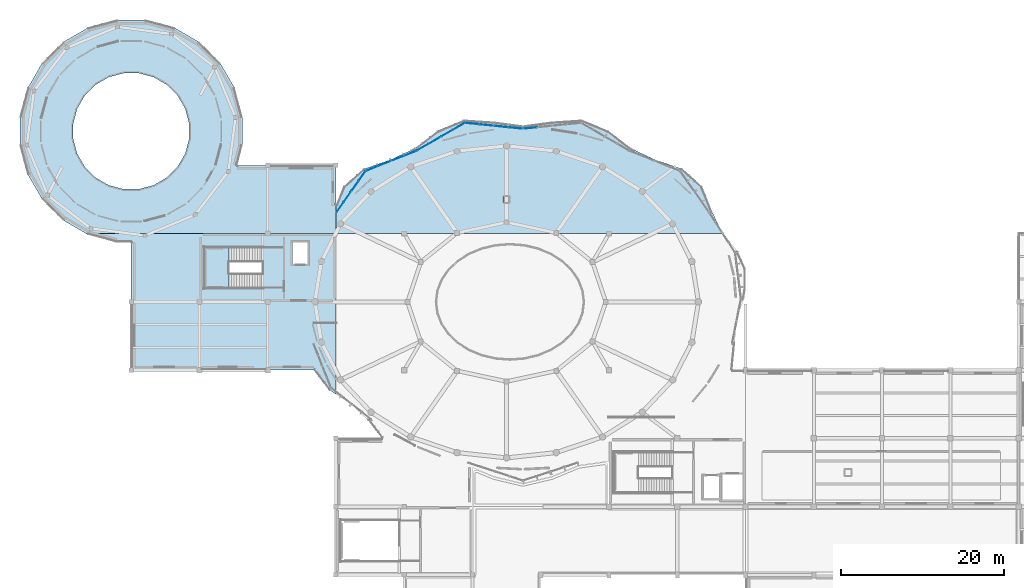
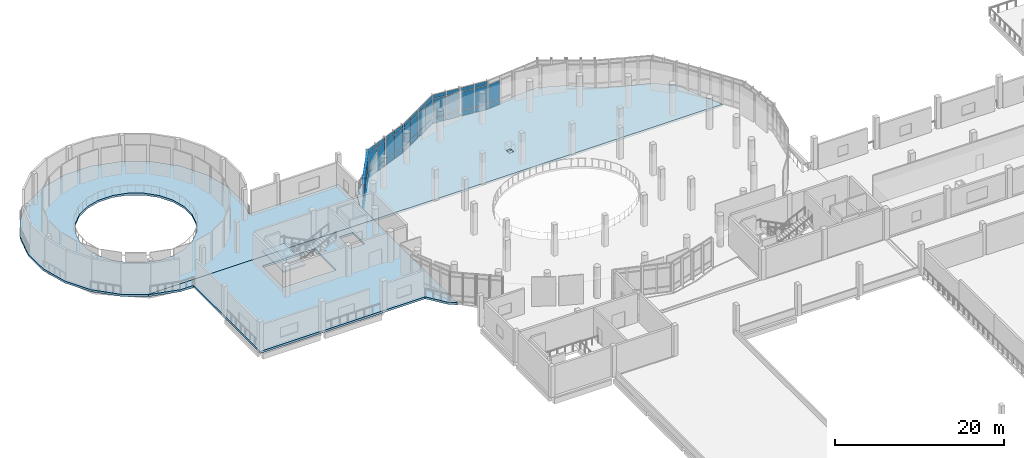
# One storey, part 23 of 46: 50 plates, 4 slabs, 10 elements without a shape of their own.
"""IFC4 building model written with IfcOpenShell, lengths in metres."""

from ifc_helpers import new_model, si_unit, derived_unit, direction, frame, origin, origin_2d, place, context, subcontext, project, spatial, polyline, rectangle, outline, extrude, material, layer, layer_set, type_object, element, aggregate, save


model = new_model("IFC4")

# Units and contexts
model_context = context("Model", 3, precision=1e-05, world=origin(), true_north=direction((0.0, 1.0)))
body_context = subcontext(model_context, "Body", "Model", "MODEL_VIEW")
ifc_project = project(units=[si_unit("LENGTHUNIT", "METRE"), si_unit("AREAUNIT", "SQUARE_METRE"), si_unit("VOLUMEUNIT", "CUBIC_METRE"), si_unit("PLANEANGLEUNIT", "RADIAN"), si_unit("MASSUNIT", "GRAM", prefix="KILO"), derived_unit("THERMALTRANSMITTANCEUNIT", [(si_unit("POWERUNIT", "WATT"), 1), (si_unit("LENGTHUNIT", "METRE"), -2), (si_unit("THERMODYNAMICTEMPERATUREUNIT", "KELVIN"), -1)])], contexts=[model_context])

# Site, building, storey
site_placement = place(None, origin())
site = spatial("IfcSite", under=ifc_project, at=site_placement, CompositionType="ELEMENT")
building_placement = place(site_placement, origin())
building = spatial("IfcBuilding", under=site, at=building_placement, Name="Elbkamm Science Centre", CompositionType="ELEMENT")
storey_placement = place(building_placement, frame((0.0, 0.0, 9.89990234375)))
storey = spatial("IfcBuildingStorey", under=building, at=storey_placement, Name="L02", CompositionType="ELEMENT", Elevation=9.89990234375)

# Curtain wall, plates
ifc_material_1 = material(Name="Powder-coated aluminium and triple low-E glazing", Category="aluminium")
ifc_layer_1 = layer(ifc_material_1, 0.159912109375)
ifc_layer_set_1 = layer_set([ifc_layer_1], Name="Powder-coated aluminium and triple low-E glazing")
curtain_wall_type_1 = type_object("IfcCurtainWallType", Name="CW-UNIT-3540x4220", PredefinedType="USERDEFINED", material=ifc_layer_set_1)
curtain_wall_1_placement = place(storey_placement, origin())
curtain_wall_1 = element("IfcCurtainWall", 1, at=curtain_wall_1_placement, inside=storey, type_object=curtain_wall_type_1, Name="L02 Unitised Curtain Wall 027", ObjectType="UNITISED CURTAIN WALL", PredefinedType="USERDEFINED")
ifc_material_2 = material(Name="Triple solar-control insulated safety glass", Category="glass")
ifc_layer_2 = layer(ifc_material_2, 0.0400390625)
ifc_layer_set_2 = layer_set([ifc_layer_2], Name="Triple solar-control insulated safety glass")
plate_type = type_object("IfcPlateType", Name="CW-PNL-40", PredefinedType="CURTAIN_PANEL", material=ifc_layer_set_2)
plate_1_placement = place(storey_placement, frame((65.89990234375, 88.582275390625, 0.070068359375), z_axis=(0.0, 0.0, 1.0), x_axis=(-0.994794045951, -0.101905869017, 0.0)))
plate_1 = element("IfcPlate", 2, at=plate_1_placement, type_object=plate_type, Name="CW-015 panel 2.1", PredefinedType="CURTAIN_PANEL", context=body_context, shape_type="SweptSolid", body=[
    extrude(rectangle(XDim=1.669189453125, YDim=0.0400390625, at=origin_2d()), origin(), (0.0, 0.0, 1.0), 0.7451171875),
])
plate_2_placement = place(storey_placement, frame((65.89990234375, 88.582275390625, 0.88525390625), z_axis=(0.0, 0.0, 1.0), x_axis=(-0.994794045951, -0.101905869017, 0.0)))
plate_2 = element("IfcPlate", 3, at=plate_2_placement, type_object=plate_type, Name="CW-015 panel 2.2", PredefinedType="CURTAIN_PANEL", context=body_context, shape_type="SweptSolid", body=[
    extrude(rectangle(XDim=1.669189453125, YDim=0.0400390625, at=origin_2d()), origin(), (0.0, 0.0, 1.0), 2.64990234375),
])
aggregate(curtain_wall_1, [plate_1, plate_2])

curtain_wall_2_placement = place(storey_placement, origin())
curtain_wall_2 = element("IfcCurtainWall", 4, at=curtain_wall_2_placement, inside=storey, type_object=curtain_wall_type_1, Name="L02 Unitised Curtain Wall 028", ObjectType="UNITISED CURTAIN WALL", PredefinedType="USERDEFINED")
plate_3_placement = place(storey_placement, frame((64.10009765625, 88.582275390625, 0.070068359375), z_axis=(0.0, 0.0, 1.0), x_axis=(-0.994794045951, 0.101905869017, 0.0)))
plate_3 = element("IfcPlate", 5, at=plate_3_placement, type_object=plate_type, Name="CW-015 panel 1.1", PredefinedType="CURTAIN_PANEL", context=body_context, shape_type="SweptSolid", body=[
    extrude(rectangle(XDim=1.669189453125, YDim=0.0400390625, at=origin_2d()), origin(), (0.0, 0.0, 1.0), 0.7451171875),
])
plate_4_placement = place(storey_placement, frame((64.10009765625, 88.582275390625, 0.88525390625), z_axis=(0.0, 0.0, 1.0), x_axis=(-0.994794045951, 0.101905869017, 0.0)))
plate_4 = element("IfcPlate", 6, at=plate_4_placement, type_object=plate_type, Name="CW-015 panel 1.2", PredefinedType="CURTAIN_PANEL", context=body_context, shape_type="SweptSolid", body=[
    extrude(rectangle(XDim=1.669189453125, YDim=0.0400390625, at=origin_2d()), origin(), (0.0, 0.0, 1.0), 2.64990234375),
])
plate_5_placement = place(storey_placement, frame((64.10009765625, 88.582275390625, 3.605224609375), z_axis=(0.0, 0.0, 1.0), x_axis=(-0.994794045951, 0.101905869017, 0.0)))
plate_5 = element("IfcPlate", 7, at=plate_5_placement, type_object=plate_type, Name="CW-015 panel 1.3", PredefinedType="CURTAIN_PANEL", context=body_context, shape_type="SweptSolid", body=[
    extrude(rectangle(XDim=1.669189453125, YDim=0.0400390625, at=origin_2d()), origin(), (0.0, 0.0, 1.0), 0.544921875),
])
plate_6_placement = place(storey_placement, frame((62.369873046875, 88.759521484375, 0.070068359375), z_axis=(0.0, 0.0, 1.0), x_axis=(-0.994794045951, 0.101905869017, 0.0)))
plate_6 = element("IfcPlate", 8, at=plate_6_placement, type_object=plate_type, Name="CW-015 panel 2.1", PredefinedType="CURTAIN_PANEL", context=body_context, shape_type="SweptSolid", body=[
    extrude(rectangle(XDim=1.669189453125, YDim=0.0400390625, at=origin_2d()), origin(), (0.0, 0.0, 1.0), 0.7451171875),
])
plate_7_placement = place(storey_placement, frame((62.369873046875, 88.759521484375, 0.88525390625), z_axis=(0.0, 0.0, 1.0), x_axis=(-0.994794045951, 0.101905869017, 0.0)))
plate_7 = element("IfcPlate", 9, at=plate_7_placement, type_object=plate_type, Name="CW-015 panel 2.2", PredefinedType="CURTAIN_PANEL", context=body_context, shape_type="SweptSolid", body=[
    extrude(rectangle(XDim=1.669189453125, YDim=0.0400390625, at=origin_2d()), origin(), (0.0, 0.0, 1.0), 2.64990234375),
])
plate_8_placement = place(storey_placement, frame((62.369873046875, 88.759521484375, 3.605224609375), z_axis=(0.0, 0.0, 1.0), x_axis=(-0.994794045951, 0.101905869017, 0.0)))
plate_8 = element("IfcPlate", 10, at=plate_8_placement, type_object=plate_type, Name="CW-015 panel 2.3", PredefinedType="CURTAIN_PANEL", context=body_context, shape_type="SweptSolid", body=[
    extrude(rectangle(XDim=1.669189453125, YDim=0.0400390625, at=origin_2d()), origin(), (0.0, 0.0, 1.0), 0.544921875),
])
aggregate(curtain_wall_2, [plate_3, plate_4, plate_5, plate_6, plate_7, plate_8])

curtain_wall_3_placement = place(storey_placement, origin())
curtain_wall_3 = element("IfcCurtainWall", 11, at=curtain_wall_3_placement, inside=storey, type_object=curtain_wall_type_1, Name="L02 Unitised Curtain Wall 029", ObjectType="UNITISED CURTAIN WALL", PredefinedType="USERDEFINED")
plate_9_placement = place(storey_placement, frame((60.49072265625, 88.951904296875, 0.070068359375), z_axis=(0.0, 0.0, 1.0), x_axis=(-0.994794045951, 0.101905869017, 0.0)))
plate_9 = element("IfcPlate", 12, at=plate_9_placement, type_object=plate_type, Name="CW-015 panel 1.1", PredefinedType="CURTAIN_PANEL", context=body_context, shape_type="SweptSolid", body=[
    extrude(rectangle(XDim=1.669189453125, YDim=0.0400390625, at=origin_2d()), origin(), (0.0, 0.0, 1.0), 0.7451171875),
])
plate_10_placement = place(storey_placement, frame((60.49072265625, 88.951904296875, 0.88525390625), z_axis=(0.0, 0.0, 1.0), x_axis=(-0.994794045951, 0.101905869017, 0.0)))
plate_10 = element("IfcPlate", 13, at=plate_10_placement, type_object=plate_type, Name="CW-015 panel 1.2", PredefinedType="CURTAIN_PANEL", context=body_context, shape_type="SweptSolid", body=[
    extrude(rectangle(XDim=1.669189453125, YDim=0.0400390625, at=origin_2d()), origin(), (0.0, 0.0, 1.0), 2.64990234375),
])
plate_11_placement = place(storey_placement, frame((60.49072265625, 88.951904296875, 3.605224609375), z_axis=(0.0, 0.0, 1.0), x_axis=(-0.994794045951, 0.101905869017, 0.0)))
plate_11 = element("IfcPlate", 14, at=plate_11_placement, type_object=plate_type, Name="CW-015 panel 1.3", PredefinedType="CURTAIN_PANEL", context=body_context, shape_type="SweptSolid", body=[
    extrude(rectangle(XDim=1.669189453125, YDim=0.0400390625, at=origin_2d()), origin(), (0.0, 0.0, 1.0), 0.544921875),
])
plate_12_placement = place(storey_placement, frame((58.760498046875, 89.129150390625, 0.070068359375), z_axis=(0.0, 0.0, 1.0), x_axis=(-0.994794045951, 0.101905869017, 0.0)))
plate_12 = element("IfcPlate", 15, at=plate_12_placement, type_object=plate_type, Name="CW-015 panel 2.1", PredefinedType="CURTAIN_PANEL", context=body_context, shape_type="SweptSolid", body=[
    extrude(rectangle(XDim=1.669189453125, YDim=0.0400390625, at=origin_2d()), origin(), (0.0, 0.0, 1.0), 0.7451171875),
])
plate_13_placement = place(storey_placement, frame((58.760498046875, 89.129150390625, 0.88525390625), z_axis=(0.0, 0.0, 1.0), x_axis=(-0.994794045951, 0.101905869017, 0.0)))
plate_13 = element("IfcPlate", 16, at=plate_13_placement, type_object=plate_type, Name="CW-015 panel 2.2", PredefinedType="CURTAIN_PANEL", context=body_context, shape_type="SweptSolid", body=[
    extrude(rectangle(XDim=1.669189453125, YDim=0.0400390625, at=origin_2d()), origin(), (0.0, 0.0, 1.0), 2.64990234375),
])
plate_14_placement = place(storey_placement, frame((58.760498046875, 89.129150390625, 3.605224609375), z_axis=(0.0, 0.0, 1.0), x_axis=(-0.994794045951, 0.101905869017, 0.0)))
plate_14 = element("IfcPlate", 17, at=plate_14_placement, type_object=plate_type, Name="CW-015 panel 2.3", PredefinedType="CURTAIN_PANEL", context=body_context, shape_type="SweptSolid", body=[
    extrude(rectangle(XDim=1.669189453125, YDim=0.0400390625, at=origin_2d()), origin(), (0.0, 0.0, 1.0), 0.544921875),
])
aggregate(curtain_wall_3, [plate_9, plate_10, plate_11, plate_12, plate_13, plate_14])

ifc_layer_3 = layer(ifc_material_1, 0.159912109375)
ifc_layer_set_3 = layer_set([ifc_layer_3], Name="Powder-coated aluminium and triple low-E glazing")
curtain_wall_type_2 = type_object("IfcCurtainWallType", Name="CW-UNIT-3400x4220", PredefinedType="USERDEFINED", material=ifc_layer_set_3)
curtain_wall_4_placement = place(storey_placement, origin())
curtain_wall_4 = element("IfcCurtainWall", 18, at=curtain_wall_4_placement, inside=storey, type_object=curtain_wall_type_2, Name="L02 Unitised Curtain Wall 030", ObjectType="UNITISED CURTAIN WALL", PredefinedType="USERDEFINED")
plate_15_placement = place(storey_placement, frame((57.109619140625, 88.787353515625, 0.070068359375), z_axis=(0.0, 0.0, 1.0), x_axis=(-0.865840156324, -0.500320720834, 0.0)))
plate_15 = element("IfcPlate", 19, at=plate_15_placement, type_object=plate_type, Name="CW-014 panel 1.1", PredefinedType="CURTAIN_PANEL", context=body_context, shape_type="SweptSolid", body=[
    extrude(rectangle(XDim=1.594970703125, YDim=0.0400390625, at=origin_2d()), origin(), (0.0, 0.0, 1.0), 0.7451171875),
])
plate_16_placement = place(storey_placement, frame((57.109619140625, 88.787353515625, 0.88525390625), z_axis=(0.0, 0.0, 1.0), x_axis=(-0.865840156324, -0.500320720834, 0.0)))
plate_16 = element("IfcPlate", 20, at=plate_16_placement, type_object=plate_type, Name="CW-014 panel 1.2", PredefinedType="CURTAIN_PANEL", context=body_context, shape_type="SweptSolid", body=[
    extrude(rectangle(XDim=1.594970703125, YDim=0.0400390625, at=origin_2d()), origin(), (0.0, 0.0, 1.0), 2.64990234375),
])
plate_17_placement = place(storey_placement, frame((57.109619140625, 88.787353515625, 3.605224609375), z_axis=(0.0, 0.0, 1.0), x_axis=(-0.865840156324, -0.500320720834, 0.0)))
plate_17 = element("IfcPlate", 21, at=plate_17_placement, type_object=plate_type, Name="CW-014 panel 1.3", PredefinedType="CURTAIN_PANEL", context=body_context, shape_type="SweptSolid", body=[
    extrude(rectangle(XDim=1.594970703125, YDim=0.0400390625, at=origin_2d()), origin(), (0.0, 0.0, 1.0), 0.544921875),
])
plate_18_placement = place(storey_placement, frame((55.66796875, 87.954345703125, 0.070068359375), z_axis=(0.0, 0.0, 1.0), x_axis=(-0.865840156324, -0.500320720834, 0.0)))
plate_18 = element("IfcPlate", 22, at=plate_18_placement, type_object=plate_type, Name="CW-014 panel 2.1", PredefinedType="CURTAIN_PANEL", context=body_context, shape_type="SweptSolid", body=[
    extrude(rectangle(XDim=1.594970703125, YDim=0.0400390625, at=origin_2d()), origin(), (0.0, 0.0, 1.0), 0.7451171875),
])
plate_19_placement = place(storey_placement, frame((55.66796875, 87.954345703125, 0.88525390625), z_axis=(0.0, 0.0, 1.0), x_axis=(-0.865840156324, -0.500320720834, 0.0)))
plate_19 = element("IfcPlate", 23, at=plate_19_placement, type_object=plate_type, Name="CW-014 panel 2.2", PredefinedType="CURTAIN_PANEL", context=body_context, shape_type="SweptSolid", body=[
    extrude(rectangle(XDim=1.594970703125, YDim=0.0400390625, at=origin_2d()), origin(), (0.0, 0.0, 1.0), 2.64990234375),
])
plate_20_placement = place(storey_placement, frame((55.66796875, 87.954345703125, 3.605224609375), z_axis=(0.0, 0.0, 1.0), x_axis=(-0.865840156324, -0.500320720834, 0.0)))
plate_20 = element("IfcPlate", 24, at=plate_20_placement, type_object=plate_type, Name="CW-014 panel 2.3", PredefinedType="CURTAIN_PANEL", context=body_context, shape_type="SweptSolid", body=[
    extrude(rectangle(XDim=1.594970703125, YDim=0.0400390625, at=origin_2d()), origin(), (0.0, 0.0, 1.0), 0.544921875),
])
aggregate(curtain_wall_4, [plate_15, plate_16, plate_17, plate_18, plate_19, plate_20])

curtain_wall_5_placement = place(storey_placement, origin())
curtain_wall_5 = element("IfcCurtainWall", 25, at=curtain_wall_5_placement, inside=storey, type_object=curtain_wall_type_2, Name="L02 Unitised Curtain Wall 031", ObjectType="UNITISED CURTAIN WALL", PredefinedType="USERDEFINED")
plate_21_placement = place(storey_placement, frame((54.0966796875, 87.04638671875, 0.070068359375), z_axis=(0.0, 0.0, 1.0), x_axis=(-0.865840156324, -0.500320720834, 0.0)))
plate_21 = element("IfcPlate", 26, at=plate_21_placement, type_object=plate_type, Name="CW-014 panel 1.1", PredefinedType="CURTAIN_PANEL", context=body_context, shape_type="SweptSolid", body=[
    extrude(rectangle(XDim=1.594970703125, YDim=0.0400390625, at=origin_2d()), origin(), (0.0, 0.0, 1.0), 0.7451171875),
])
plate_22_placement = place(storey_placement, frame((54.0966796875, 87.04638671875, 0.88525390625), z_axis=(0.0, 0.0, 1.0), x_axis=(-0.865840156324, -0.500320720834, 0.0)))
plate_22 = element("IfcPlate", 27, at=plate_22_placement, type_object=plate_type, Name="CW-014 panel 1.2", PredefinedType="CURTAIN_PANEL", context=body_context, shape_type="SweptSolid", body=[
    extrude(rectangle(XDim=1.594970703125, YDim=0.0400390625, at=origin_2d()), origin(), (0.0, 0.0, 1.0), 2.64990234375),
])
plate_23_placement = place(storey_placement, frame((54.0966796875, 87.04638671875, 3.605224609375), z_axis=(0.0, 0.0, 1.0), x_axis=(-0.865840156324, -0.500320720834, 0.0)))
plate_23 = element("IfcPlate", 28, at=plate_23_placement, type_object=plate_type, Name="CW-014 panel 1.3", PredefinedType="CURTAIN_PANEL", context=body_context, shape_type="SweptSolid", body=[
    extrude(rectangle(XDim=1.594970703125, YDim=0.0400390625, at=origin_2d()), origin(), (0.0, 0.0, 1.0), 0.544921875),
])
plate_24_placement = place(storey_placement, frame((52.6552734375, 86.21337890625, 0.070068359375), z_axis=(0.0, 0.0, 1.0), x_axis=(-0.865840156324, -0.500320720834, 0.0)))
plate_24 = element("IfcPlate", 29, at=plate_24_placement, type_object=plate_type, Name="CW-014 panel 2.1", PredefinedType="CURTAIN_PANEL", context=body_context, shape_type="SweptSolid", body=[
    extrude(rectangle(XDim=1.594970703125, YDim=0.0400390625, at=origin_2d()), origin(), (0.0, 0.0, 1.0), 0.7451171875),
])
plate_25_placement = place(storey_placement, frame((52.6552734375, 86.21337890625, 0.88525390625), z_axis=(0.0, 0.0, 1.0), x_axis=(-0.865840156324, -0.500320720834, 0.0)))
plate_25 = element("IfcPlate", 30, at=plate_25_placement, type_object=plate_type, Name="CW-014 panel 2.2", PredefinedType="CURTAIN_PANEL", context=body_context, shape_type="SweptSolid", body=[
    extrude(rectangle(XDim=1.594970703125, YDim=0.0400390625, at=origin_2d()), origin(), (0.0, 0.0, 1.0), 2.64990234375),
])
plate_26_placement = place(storey_placement, frame((52.6552734375, 86.21337890625, 3.605224609375), z_axis=(0.0, 0.0, 1.0), x_axis=(-0.865840156324, -0.500320720834, 0.0)))
plate_26 = element("IfcPlate", 31, at=plate_26_placement, type_object=plate_type, Name="CW-014 panel 2.3", PredefinedType="CURTAIN_PANEL", context=body_context, shape_type="SweptSolid", body=[
    extrude(rectangle(XDim=1.594970703125, YDim=0.0400390625, at=origin_2d()), origin(), (0.0, 0.0, 1.0), 0.544921875),
])
aggregate(curtain_wall_5, [plate_21, plate_22, plate_23, plate_24, plate_25, plate_26])

ifc_layer_4 = layer(ifc_material_1, 0.159912109375)
ifc_layer_set_4 = layer_set([ifc_layer_4], Name="Powder-coated aluminium and triple low-E glazing")
curtain_wall_type_3 = type_object("IfcCurtainWallType", Name="CW-UNIT-3340x4220", PredefinedType="USERDEFINED", material=ifc_layer_set_4)
curtain_wall_6_placement = place(storey_placement, origin())
curtain_wall_6 = element("IfcCurtainWall", 32, at=curtain_wall_6_placement, inside=storey, type_object=curtain_wall_type_3, Name="L02 Unitised Curtain Wall 032", ObjectType="UNITISED CURTAIN WALL", PredefinedType="USERDEFINED")
plate_27_placement = place(storey_placement, frame((51.11328125, 85.46533203125, 0.070068359375), z_axis=(0.0, 0.0, 1.0), x_axis=(-0.929365763256, -0.369160233621, 0.0)))
plate_27 = element("IfcPlate", 33, at=plate_27_placement, type_object=plate_type, Name="CW-013 panel 1.1", PredefinedType="CURTAIN_PANEL", context=body_context, shape_type="SweptSolid", body=[
    extrude(rectangle(XDim=1.5615234375, YDim=0.0400390625, at=origin_2d()), origin(), (0.0, 0.0, 1.0), 0.7451171875),
])
plate_28_placement = place(storey_placement, frame((51.11328125, 85.46533203125, 0.88525390625), z_axis=(0.0, 0.0, 1.0), x_axis=(-0.929365763256, -0.369160233621, 0.0)))
plate_28 = element("IfcPlate", 34, at=plate_28_placement, type_object=plate_type, Name="CW-013 panel 1.2", PredefinedType="CURTAIN_PANEL", context=body_context, shape_type="SweptSolid", body=[
    extrude(rectangle(XDim=1.5615234375, YDim=0.0400390625, at=origin_2d()), origin(), (0.0, 0.0, 1.0), 2.64990234375),
])
plate_29_placement = place(storey_placement, frame((51.11328125, 85.46533203125, 3.605224609375), z_axis=(0.0, 0.0, 1.0), x_axis=(-0.929365763256, -0.369160233621, 0.0)))
plate_29 = element("IfcPlate", 35, at=plate_29_placement, type_object=plate_type, Name="CW-013 panel 1.3", PredefinedType="CURTAIN_PANEL", context=body_context, shape_type="SweptSolid", body=[
    extrude(rectangle(XDim=1.5615234375, YDim=0.0400390625, at=origin_2d()), origin(), (0.0, 0.0, 1.0), 0.544921875),
])
plate_30_placement = place(storey_placement, frame((49.596923828125, 84.863037109375, 0.070068359375), z_axis=(0.0, 0.0, 1.0), x_axis=(-0.929365763256, -0.369160233621, 0.0)))
plate_30 = element("IfcPlate", 36, at=plate_30_placement, type_object=plate_type, Name="CW-013 panel 2.1", PredefinedType="CURTAIN_PANEL", context=body_context, shape_type="SweptSolid", body=[
    extrude(rectangle(XDim=1.5615234375, YDim=0.0400390625, at=origin_2d()), origin(), (0.0, 0.0, 1.0), 0.7451171875),
])
plate_31_placement = place(storey_placement, frame((49.596923828125, 84.863037109375, 0.88525390625), z_axis=(0.0, 0.0, 1.0), x_axis=(-0.929365763256, -0.369160233621, 0.0)))
plate_31 = element("IfcPlate", 37, at=plate_31_placement, type_object=plate_type, Name="CW-013 panel 2.2", PredefinedType="CURTAIN_PANEL", context=body_context, shape_type="SweptSolid", body=[
    extrude(rectangle(XDim=1.5615234375, YDim=0.0400390625, at=origin_2d()), origin(), (0.0, 0.0, 1.0), 2.64990234375),
])
plate_32_placement = place(storey_placement, frame((49.596923828125, 84.863037109375, 3.605224609375), z_axis=(0.0, 0.0, 1.0), x_axis=(-0.929365763256, -0.369160233621, 0.0)))
plate_32 = element("IfcPlate", 38, at=plate_32_placement, type_object=plate_type, Name="CW-013 panel 2.3", PredefinedType="CURTAIN_PANEL", context=body_context, shape_type="SweptSolid", body=[
    extrude(rectangle(XDim=1.5615234375, YDim=0.0400390625, at=origin_2d()), origin(), (0.0, 0.0, 1.0), 0.544921875),
])
aggregate(curtain_wall_6, [plate_27, plate_28, plate_29, plate_30, plate_31, plate_32])

curtain_wall_7_placement = place(storey_placement, origin())
curtain_wall_7 = element("IfcCurtainWall", 39, at=curtain_wall_7_placement, inside=storey, type_object=curtain_wall_type_3, Name="L02 Unitised Curtain Wall 033", ObjectType="UNITISED CURTAIN WALL", PredefinedType="USERDEFINED")
plate_33_placement = place(storey_placement, frame((47.94140625, 84.205322265625, 0.070068359375), z_axis=(0.0, 0.0, 1.0), x_axis=(-0.929365763256, -0.369160233621, 0.0)))
plate_33 = element("IfcPlate", 40, at=plate_33_placement, type_object=plate_type, Name="CW-013 panel 1.1", PredefinedType="CURTAIN_PANEL", context=body_context, shape_type="SweptSolid", body=[
    extrude(rectangle(XDim=1.5615234375, YDim=0.0400390625, at=origin_2d()), origin(), (0.0, 0.0, 1.0), 0.7451171875),
])
plate_34_placement = place(storey_placement, frame((47.94140625, 84.205322265625, 0.88525390625), z_axis=(0.0, 0.0, 1.0), x_axis=(-0.929365763256, -0.369160233621, 0.0)))
plate_34 = element("IfcPlate", 41, at=plate_34_placement, type_object=plate_type, Name="CW-013 panel 1.2", PredefinedType="CURTAIN_PANEL", context=body_context, shape_type="SweptSolid", body=[
    extrude(rectangle(XDim=1.5615234375, YDim=0.0400390625, at=origin_2d()), origin(), (0.0, 0.0, 1.0), 2.64990234375),
])
plate_35_placement = place(storey_placement, frame((47.94140625, 84.205322265625, 3.605224609375), z_axis=(0.0, 0.0, 1.0), x_axis=(-0.929365763256, -0.369160233621, 0.0)))
plate_35 = element("IfcPlate", 42, at=plate_35_placement, type_object=plate_type, Name="CW-013 panel 1.3", PredefinedType="CURTAIN_PANEL", context=body_context, shape_type="SweptSolid", body=[
    extrude(rectangle(XDim=1.5615234375, YDim=0.0400390625, at=origin_2d()), origin(), (0.0, 0.0, 1.0), 0.544921875),
])
plate_36_placement = place(storey_placement, frame((46.4248046875, 83.60302734375, 0.070068359375), z_axis=(0.0, 0.0, 1.0), x_axis=(-0.929365763256, -0.369160233621, 0.0)))
plate_36 = element("IfcPlate", 43, at=plate_36_placement, type_object=plate_type, Name="CW-013 panel 2.1", PredefinedType="CURTAIN_PANEL", context=body_context, shape_type="SweptSolid", body=[
    extrude(rectangle(XDim=1.5615234375, YDim=0.0400390625, at=origin_2d()), origin(), (0.0, 0.0, 1.0), 0.7451171875),
])
plate_37_placement = place(storey_placement, frame((46.4248046875, 83.60302734375, 0.88525390625), z_axis=(0.0, 0.0, 1.0), x_axis=(-0.929365763256, -0.369160233621, 0.0)))
plate_37 = element("IfcPlate", 44, at=plate_37_placement, type_object=plate_type, Name="CW-013 panel 2.2", PredefinedType="CURTAIN_PANEL", context=body_context, shape_type="SweptSolid", body=[
    extrude(rectangle(XDim=1.5615234375, YDim=0.0400390625, at=origin_2d()), origin(), (0.0, 0.0, 1.0), 2.64990234375),
])
plate_38_placement = place(storey_placement, frame((46.4248046875, 83.60302734375, 3.605224609375), z_axis=(0.0, 0.0, 1.0), x_axis=(-0.929365763256, -0.369160233621, 0.0)))
plate_38 = element("IfcPlate", 45, at=plate_38_placement, type_object=plate_type, Name="CW-013 panel 2.3", PredefinedType="CURTAIN_PANEL", context=body_context, shape_type="SweptSolid", body=[
    extrude(rectangle(XDim=1.5615234375, YDim=0.0400390625, at=origin_2d()), origin(), (0.0, 0.0, 1.0), 0.544921875),
])
aggregate(curtain_wall_7, [plate_33, plate_34, plate_35, plate_36, plate_37, plate_38])

ifc_layer_5 = layer(ifc_material_1, 0.159912109375)
ifc_layer_set_5 = layer_set([ifc_layer_5], Name="Powder-coated aluminium and triple low-E glazing")
curtain_wall_type_4 = type_object("IfcCurtainWallType", Name="CW-UNIT-3060x4220", PredefinedType="USERDEFINED", material=ifc_layer_set_5)
curtain_wall_8_placement = place(storey_placement, origin())
curtain_wall_8 = element("IfcCurtainWall", 46, at=curtain_wall_8_placement, inside=storey, type_object=curtain_wall_type_4, Name="L02 Unitised Curtain Wall 034", ObjectType="UNITISED CURTAIN WALL", PredefinedType="USERDEFINED")
plate_39_placement = place(storey_placement, frame((45.18505859375, 82.651123046875, 0.070068359375), z_axis=(0.0, 0.0, 1.0), x_axis=(-0.575651750443, -0.817694968929, 0.0)))
plate_39 = element("IfcPlate", 47, at=plate_39_placement, type_object=plate_type, Name="CW-012 panel 1.1", PredefinedType="CURTAIN_PANEL", context=body_context, shape_type="SweptSolid", body=[
    extrude(rectangle(XDim=1.420166015625, YDim=0.0400390625, at=origin_2d()), origin(), (0.0, 0.0, 1.0), 0.7451171875),
])
plate_40_placement = place(storey_placement, frame((45.18505859375, 82.651123046875, 0.88525390625), z_axis=(0.0, 0.0, 1.0), x_axis=(-0.575651750443, -0.817694968929, 0.0)))
plate_40 = element("IfcPlate", 48, at=plate_40_placement, type_object=plate_type, Name="CW-012 panel 1.2", PredefinedType="CURTAIN_PANEL", context=body_context, shape_type="SweptSolid", body=[
    extrude(rectangle(XDim=1.420166015625, YDim=0.0400390625, at=origin_2d()), origin(), (0.0, 0.0, 1.0), 2.64990234375),
])
plate_41_placement = place(storey_placement, frame((45.18505859375, 82.651123046875, 3.605224609375), z_axis=(0.0, 0.0, 1.0), x_axis=(-0.575651750443, -0.817694968929, 0.0)))
plate_41 = element("IfcPlate", 49, at=plate_41_placement, type_object=plate_type, Name="CW-012 panel 1.3", PredefinedType="CURTAIN_PANEL", context=body_context, shape_type="SweptSolid", body=[
    extrude(rectangle(XDim=1.420166015625, YDim=0.0400390625, at=origin_2d()), origin(), (0.0, 0.0, 1.0), 0.544921875),
])
plate_42_placement = place(storey_placement, frame((44.327392578125, 81.4326171875, 0.070068359375), z_axis=(0.0, 0.0, 1.0), x_axis=(-0.575651750443, -0.817694968929, 0.0)))
plate_42 = element("IfcPlate", 50, at=plate_42_placement, type_object=plate_type, Name="CW-012 panel 2.1", PredefinedType="CURTAIN_PANEL", context=body_context, shape_type="SweptSolid", body=[
    extrude(rectangle(XDim=1.420166015625, YDim=0.0400390625, at=origin_2d()), origin(), (0.0, 0.0, 1.0), 0.7451171875),
])
plate_43_placement = place(storey_placement, frame((44.327392578125, 81.4326171875, 0.88525390625), z_axis=(0.0, 0.0, 1.0), x_axis=(-0.575651750443, -0.817694968929, 0.0)))
plate_43 = element("IfcPlate", 51, at=plate_43_placement, type_object=plate_type, Name="CW-012 panel 2.2", PredefinedType="CURTAIN_PANEL", context=body_context, shape_type="SweptSolid", body=[
    extrude(rectangle(XDim=1.420166015625, YDim=0.0400390625, at=origin_2d()), origin(), (0.0, 0.0, 1.0), 2.64990234375),
])
plate_44_placement = place(storey_placement, frame((44.327392578125, 81.4326171875, 3.605224609375), z_axis=(0.0, 0.0, 1.0), x_axis=(-0.575651750443, -0.817694968929, 0.0)))
plate_44 = element("IfcPlate", 52, at=plate_44_placement, type_object=plate_type, Name="CW-012 panel 2.3", PredefinedType="CURTAIN_PANEL", context=body_context, shape_type="SweptSolid", body=[
    extrude(rectangle(XDim=1.420166015625, YDim=0.0400390625, at=origin_2d()), origin(), (0.0, 0.0, 1.0), 0.544921875),
])
aggregate(curtain_wall_8, [plate_39, plate_40, plate_41, plate_42, plate_43, plate_44])

curtain_wall_9_placement = place(storey_placement, origin())
curtain_wall_9 = element("IfcCurtainWall", 53, at=curtain_wall_9_placement, inside=storey, type_object=curtain_wall_type_4, Name="L02 Unitised Curtain Wall 035", ObjectType="UNITISED CURTAIN WALL", PredefinedType="USERDEFINED")
plate_45_placement = place(storey_placement, frame((43.383056640625, 80.09130859375, 0.070068359375), z_axis=(0.0, 0.0, 1.0), x_axis=(-0.575651750443, -0.817694968929, 0.0)))
plate_45 = element("IfcPlate", 54, at=plate_45_placement, type_object=plate_type, Name="CW-012 panel 1.1", PredefinedType="CURTAIN_PANEL", context=body_context, shape_type="SweptSolid", body=[
    extrude(rectangle(XDim=1.420166015625, YDim=0.0400390625, at=origin_2d()), origin(), (0.0, 0.0, 1.0), 0.7451171875),
])
plate_46_placement = place(storey_placement, frame((43.383056640625, 80.09130859375, 0.88525390625), z_axis=(0.0, 0.0, 1.0), x_axis=(-0.575651750443, -0.817694968929, 0.0)))
plate_46 = element("IfcPlate", 55, at=plate_46_placement, type_object=plate_type, Name="CW-012 panel 1.2", PredefinedType="CURTAIN_PANEL", context=body_context, shape_type="SweptSolid", body=[
    extrude(rectangle(XDim=1.420166015625, YDim=0.0400390625, at=origin_2d()), origin(), (0.0, 0.0, 1.0), 2.64990234375),
])
plate_47_placement = place(storey_placement, frame((43.383056640625, 80.09130859375, 3.605224609375), z_axis=(0.0, 0.0, 1.0), x_axis=(-0.575651750443, -0.817694968929, 0.0)))
plate_47 = element("IfcPlate", 56, at=plate_47_placement, type_object=plate_type, Name="CW-012 panel 1.3", PredefinedType="CURTAIN_PANEL", context=body_context, shape_type="SweptSolid", body=[
    extrude(rectangle(XDim=1.420166015625, YDim=0.0400390625, at=origin_2d()), origin(), (0.0, 0.0, 1.0), 0.544921875),
])
plate_48_placement = place(storey_placement, frame((42.525390625, 78.872802734375, 0.070068359375), z_axis=(0.0, 0.0, 1.0), x_axis=(-0.575651750443, -0.817694968929, 0.0)))
plate_48 = element("IfcPlate", 57, at=plate_48_placement, type_object=plate_type, Name="CW-012 panel 2.1", PredefinedType="CURTAIN_PANEL", context=body_context, shape_type="SweptSolid", body=[
    extrude(rectangle(XDim=1.420166015625, YDim=0.0400390625, at=origin_2d()), origin(), (0.0, 0.0, 1.0), 0.7451171875),
])
plate_49_placement = place(storey_placement, frame((42.525390625, 78.872802734375, 0.88525390625), z_axis=(0.0, 0.0, 1.0), x_axis=(-0.575651750443, -0.817694968929, 0.0)))
plate_49 = element("IfcPlate", 58, at=plate_49_placement, type_object=plate_type, Name="CW-012 panel 2.2", PredefinedType="CURTAIN_PANEL", context=body_context, shape_type="SweptSolid", body=[
    extrude(rectangle(XDim=1.420166015625, YDim=0.0400390625, at=origin_2d()), origin(), (0.0, 0.0, 1.0), 2.64990234375),
])
plate_50_placement = place(storey_placement, frame((42.525390625, 78.872802734375, 3.605224609375), z_axis=(0.0, 0.0, 1.0), x_axis=(-0.575651750443, -0.817694968929, 0.0)))
plate_50 = element("IfcPlate", 59, at=plate_50_placement, type_object=plate_type, Name="CW-012 panel 2.3", PredefinedType="CURTAIN_PANEL", context=body_context, shape_type="SweptSolid", body=[
    extrude(rectangle(XDim=1.420166015625, YDim=0.0400390625, at=origin_2d()), origin(), (0.0, 0.0, 1.0), 0.544921875),
])
aggregate(curtain_wall_9, [plate_45, plate_46, plate_47, plate_48, plate_49, plate_50])

# Slabs
ifc_material_3 = material(Name="Reinforced concrete C40/50", Category="concrete")
ifc_layer_6 = layer(ifc_material_3, 0.300048828125)
ifc_layer_set_6 = layer_set([ifc_layer_6], Name="Reinforced concrete C40/50")
slab_type_1 = type_object("IfcSlabType", Name="SLAB-FLR-300", PredefinedType="FLOOR", material=ifc_layer_set_6)
slab_1_placement = place(storey_placement, frame((0.0, 0.0, -0.2998046875)))
element("IfcSlab", 60, at=slab_1_placement, inside=storey, type_object=slab_type_1, Name="L02 Structural Slab WM-01", PredefinedType="FLOOR", context=body_context, shape_type="SweptSolid", body=[
    extrude(outline(polyline([(41.114990234375, 56.409912109375), (39.306884765625, 58.800048828125), (16.800048828125, 58.800048828125), (16.800048828125, 74.51806640625), (14.998779296875, 74.51806640625), (11.51904296875, 75.450439453125), (11.260009765625, 75.60009765625), (42.0, 75.60009765625), (42.0, 55.826416015625), (41.114990234375, 56.409912109375)]), holes=[polyline([(32.97998046875, 68.8798828125), (32.97998046875, 73.919921875), (25.800048828125, 73.919921875), (25.800048828125, 68.8798828125), (32.97998046875, 68.8798828125)]), polyline([(38.550048828125, 71.85009765625), (38.550048828125, 74.550048828125), (36.64990234375, 74.550048828125), (36.64990234375, 71.85009765625), (38.550048828125, 71.85009765625)])]), origin(), (0.0, 0.0, 1.0), 0.2998046875),
])
slab_2_placement = place(storey_placement, frame((0.0, 0.0, -0.2998046875)))
element("IfcSlab", 61, at=slab_2_placement, inside=storey, type_object=slab_type_1, Name="L02 Structural Slab WN-02", PredefinedType="FLOOR", context=body_context, shape_type="SweptSolid", body=[
    extrude(outline(polyline([(3.1181640625, 90.001220703125), (4.050537109375, 93.48095703125), (5.851806640625, 96.600830078125), (8.399169921875, 99.148193359375), (11.51904296875, 100.949462890625), (14.998779296875, 101.8818359375), (18.601318359375, 101.8818359375), (22.0810546875, 100.949462890625), (25.200927734375, 99.148193359375), (27.748291015625, 96.600830078125), (29.549560546875, 93.48095703125), (30.48193359375, 90.001220703125), (30.48193359375, 86.398681640625), (29.839111328125, 84.0), (42.0, 84.0), (42.0, 78.982177734375), (42.0, 75.60009765625), (11.260009765625, 75.60009765625), (8.399169921875, 77.251708984375), (5.851806640625, 79.799072265625), (4.050537109375, 82.9189453125), (3.1181640625, 86.398681640625), (3.1181640625, 90.001220703125)]), holes=[polyline([(12.4169921875, 82.48779296875), (14.044677734375, 81.548095703125), (15.860107421875, 81.0615234375), (17.73974609375, 81.0615234375), (19.555419921875, 81.548095703125), (21.18310546875, 82.48779296875), (22.51220703125, 83.81689453125), (23.451904296875, 85.444580078125), (23.9384765625, 87.26025390625), (23.9384765625, 89.139892578125), (23.451904296875, 90.955322265625), (22.51220703125, 92.5830078125), (21.18310546875, 93.912109375), (19.555419921875, 94.851806640625), (17.73974609375, 95.33837890625), (15.860107421875, 95.33837890625), (14.044677734375, 94.851806640625), (12.4169921875, 93.912109375), (11.087890625, 92.5830078125), (10.148193359375, 90.955322265625), (9.66162109375, 89.139892578125), (9.66162109375, 87.26025390625), (10.148193359375, 85.444580078125), (11.087890625, 83.81689453125), (12.4169921875, 82.48779296875)])]), origin(), (0.0, 0.0, 1.0), 0.2998046875),
])
slab_3_placement = place(storey_placement, frame((0.0, 0.0, -0.2998046875)))
element("IfcSlab", 62, at=slab_3_placement, inside=storey, type_object=slab_type_1, Name="L02 Structural Slab CN-05", PredefinedType="FLOOR", context=body_context, shape_type="SweptSolid", body=[
    extrude(outline(polyline([(45.38671875, 83.536376953125), (48.723388671875, 84.686767578125), (51.72900390625, 86.08251953125), (54.479736328125, 88.194091796875), (57.77001953125, 89.5595703125), (61.462646484375, 89.3134765625), (65.0, 88.840087890625), (68.537353515625, 89.3134765625), (72.22998046875, 89.5595703125), (75.520263671875, 88.194091796875), (78.27099609375, 86.08251953125), (81.276611328125, 84.686767578125), (84.61328125, 83.536376953125), (87.0576171875, 81.35986328125), (88.226806640625, 78.409912109375), (89.480712890625, 75.750244140625), (89.604736328125, 75.60009765625), (42.0, 75.60009765625), (42.0, 78.982177734375), (42.9423828125, 81.35986328125), (45.38671875, 83.536376953125)]), holes=[polyline([(63.35009765625, 80.14990234375), (62.64990234375, 80.14990234375), (62.64990234375, 79.449951171875), (63.35009765625, 79.449951171875), (63.35009765625, 80.14990234375)])]), origin(), (0.0, 0.0, 1.0), 0.2998046875),
])

# Stair, slab
stair_type = type_object("IfcStairType", Name="ST-TWO-28R-182", PredefinedType="USERDEFINED", material=ifc_material_3)
stair_placement = place(storey_placement, origin())
stair = element("IfcStair", 63, at=stair_placement, inside=storey, type_object=stair_type, Name="L02 Core C1 Northwest Planetarium and Exhibition Core Escape Stair", ObjectType="TWO_RETURN_STAIR", PredefinedType="USERDEFINED")
ifc_layer_7 = layer(ifc_material_3, 0.199951171875)
ifc_layer_set_7 = layer_set([ifc_layer_7], Name="Reinforced concrete C40/50")
slab_type_2 = type_object("IfcSlabType", Name="SLAB-LAND-200", PredefinedType="LANDING", material=ifc_layer_set_7)
slab_4_placement = place(storey_placement, frame((0.0, 0.0, 2.050048828125)))
slab_4 = element("IfcSlab", 64, at=slab_4_placement, type_object=slab_type_2, Name="ST-C1 landing 1", PredefinedType="LANDING", context=body_context, shape_type="SweptSolid", body=[
    extrude(outline(polyline([(28.820068359375, 73.919921875), (25.800048828125, 73.919921875), (25.800048828125, 68.8798828125), (28.820068359375, 68.8798828125), (28.820068359375, 73.919921875)])), origin(), (0.0, 0.0, 1.0), 0.199951171875),
])
aggregate(stair, [slab_4])

save(model, "model.ifc")
